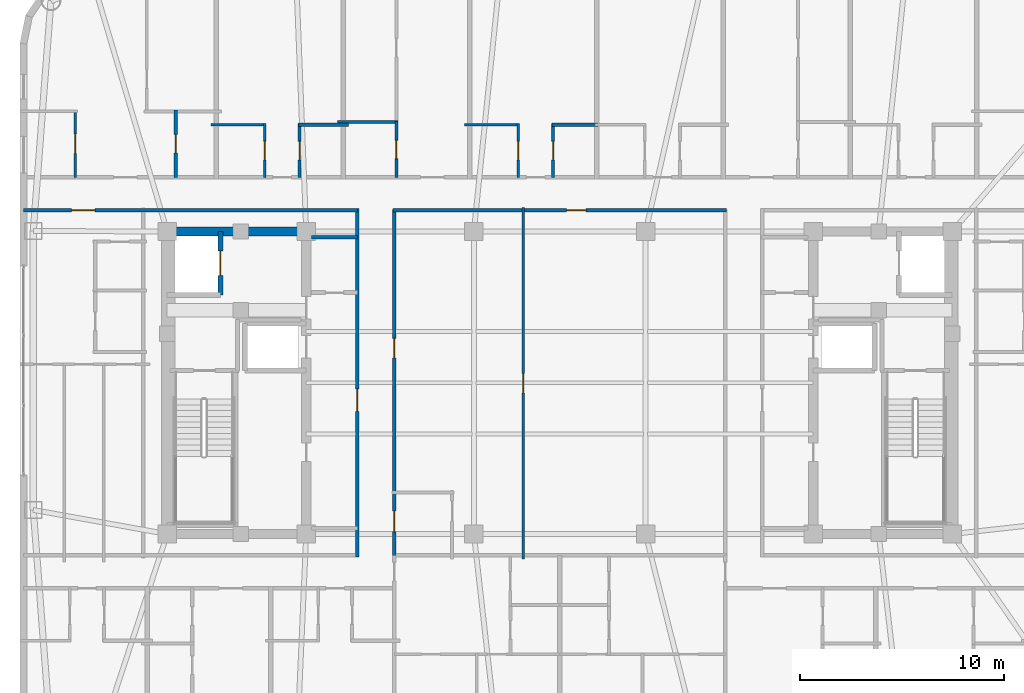
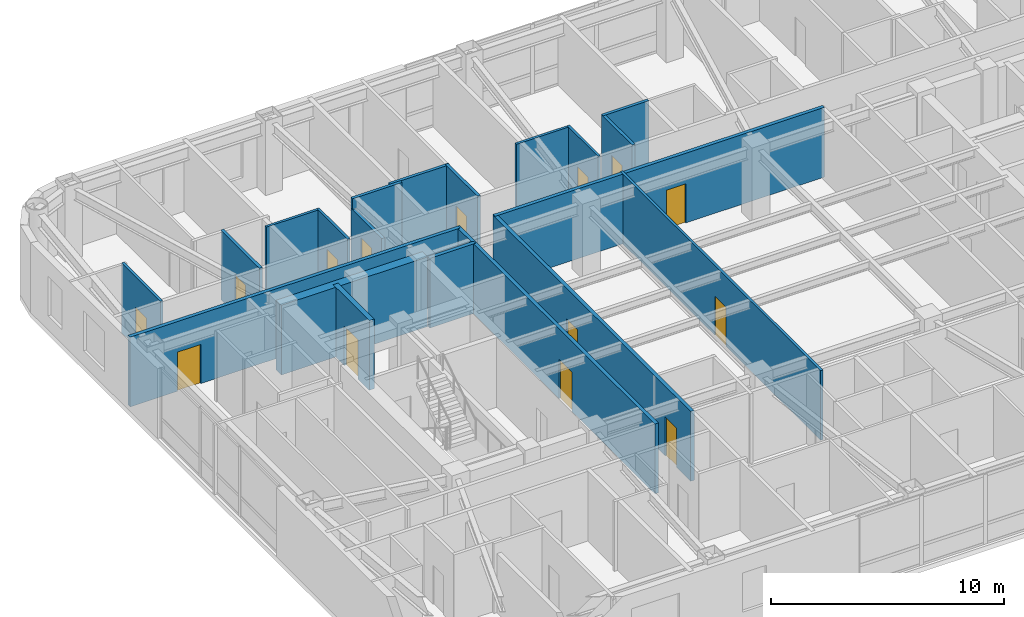
# One storey, part 23 of 29: 20 walls, 14 doors, 14 openings.
"""IFC4 building model written with IfcOpenShell, lengths in metres."""

from ifc_helpers import new_model, si_unit, direction, frame, frame_2d, origin, place, context, subcontext, project, spatial, rectangle, extrude, material, layer, layer_set, type_object, element, fill, save


model = new_model("IFC4")

# Units and contexts
model_context = context("Model", 3, precision=1e-05, world=origin(), true_north=direction((0.0, 1.0)))
body_context = subcontext(model_context, "Body", "Model", "MODEL_VIEW")
ifc_project = project(units=[si_unit("LENGTHUNIT", "METRE"), si_unit("AREAUNIT", "SQUARE_METRE"), si_unit("VOLUMEUNIT", "CUBIC_METRE"), si_unit("PLANEANGLEUNIT", "RADIAN"), si_unit("MASSUNIT", "GRAM", prefix="KILO")], contexts=[model_context])

# Site, building, storey
site_placement = place(None, origin())
site = spatial("IfcSite", under=ifc_project, at=site_placement, CompositionType="ELEMENT")
building_placement = place(site_placement, origin())
building = spatial("IfcBuilding", under=site, at=building_placement, Name="Voryun Gate Residences", CompositionType="ELEMENT")
storey_placement = place(building_placement, frame((0.0, 0.0, 211.89990234375)))
storey = spatial("IfcBuildingStorey", under=building, at=storey_placement, Name="L52", CompositionType="ELEMENT", Elevation=211.89990234375)

# Walls
ifc_material_1 = material(Name="Concrete C50/60", Category="concrete")
ifc_layer_1 = layer(ifc_material_1, 0.449951171875, Name="CW_CORE_450")
ifc_layer_set_1 = layer_set([ifc_layer_1], Name="Concrete C50/60")
wall_type_1 = type_object("IfcWallType", Name="CW_CORE_450", PredefinedType="SHEAR", material=ifc_layer_set_1)
wall_1_placement = place(storey_placement, frame((-19.425048828125, 7.39990234375, 0.0), z_axis=(0.0, 0.0, 1.0), x_axis=(1.0, 0.0, 0.0)))
element("IfcWall", 1, at=wall_1_placement, inside=storey, type_object=wall_type_1, Name="L52 Core shear wall CW-L52-WN", PredefinedType="SHEAR", context=body_context, shape_type="SweptSolid", body=[
    extrude(rectangle(XDim=7.25, YDim=0.449951171875, at=frame_2d((3.625, 0.0))), origin(), (0.0, 0.0, 1.0), 3.650146484375),
])
ifc_material_2 = material(Name="Gypsum acoustic fireboard")
ifc_layer_2 = layer(ifc_material_2, 0.179931640625, Name="W_CORR_RATED_180")
ifc_layer_set_2 = layer_set([ifc_layer_2], Name="Gypsum acoustic fireboard")
wall_type_2 = type_object("IfcWallType", Name="W_CORR_RATED_180", PredefinedType="PARTITIONING", material=ifc_layer_set_2)
wall_2_placement = place(storey_placement, frame((-12.14990234375, 7.1201171875, 0.0), z_axis=(0.0, 0.0, 1.0), x_axis=(1.0, 0.0, 0.0)))
element("IfcWall", 2, at=wall_2_placement, inside=storey, type_object=wall_type_2, Name="Partition wall WP-L52-PLBN-W", PredefinedType="PARTITIONING", context=body_context, shape_type="SweptSolid", body=[
    extrude(rectangle(XDim=2.27001953125, YDim=0.179931640625, at=frame_2d((1.135009765625, 0.0))), origin(), (0.0, 0.0, 1.0), 3.650146484375),
])

# Wall, opening, door
wall_3_placement = place(storey_placement, frame((-9.89990234375, -8.530029296875, 0.0), z_axis=(0.0, 0.0, 1.0), x_axis=(0.0, 1.0, 0.0)))
wall_3 = element("IfcWall", 3, at=wall_3_placement, inside=storey, type_object=wall_type_2, Name="Partition wall WP-L52-PLBW-FULL", PredefinedType="PARTITIONING", context=body_context, shape_type="SweptSolid", body=[
    extrude(rectangle(XDim=17.06005859375, YDim=0.179931640625, at=frame_2d((8.530029296875, 0.0))), origin(), (0.0, 0.0, 1.0), 3.650146484375),
])
opening_1_placement = place(wall_3_placement, frame((7.126953125, 0.0, 0.0)))
opening_1 = element("IfcOpeningElement", 4, at=opening_1_placement, cuts=wall_3, Name="Opening D-FD60-2", PredefinedType="OPENING", context=body_context, shape_type="SweptSolid", body=[
    extrude(rectangle(XDim=1.10009765625, YDim=2.050048828125, at=frame_2d((0.550048828125, 1.02490234375))), frame((0.0, 0.099853515625, 0.0), z_axis=(0.0, -1.0, 0.0), x_axis=(1.0, 0.0, 0.0)), (0.0, 0.0, 1.0), 0.199951171875),
])
ifc_material_3 = material(Name="Painted steel fire door", Category="steel")
door_type_1 = type_object("IfcDoorType", Name="DR_FD60_FFLOB_1100", OperationType="NOTDEFINED", PredefinedType="DOOR", material=ifc_material_3)
door_1_placement = place(opening_1_placement, origin())
door_1 = element("IfcDoor", 5, at=door_1_placement, inside=storey, type_object=door_type_1, Name="Door DR-L52-PLBW-COR", OperationType="SINGLE_SWING_LEFT", OverallHeight=2.050048828125, OverallWidth=1.10009765625, PredefinedType="DOOR", context=body_context, shape_type="SweptSolid", body=[
    extrude(rectangle(XDim=1.10009765625, YDim=2.050048828125, at=frame_2d((0.550048828125, 1.02490234375))), frame((0.0, 0.02490234375, 0.0), z_axis=(0.0, -1.0, 0.0), x_axis=(1.0, 0.0, 0.0)), (0.0, 0.0, 1.0), 0.050048828125),
])
fill(opening_1, door_1)

wall_4_placement = place(storey_placement, frame((-26.22998046875, 8.43994140625, 0.0), z_axis=(0.0, 0.0, 1.0), x_axis=(1.0, 0.0, 0.0)))
wall_4 = element("IfcWall", 6, at=wall_4_placement, inside=storey, type_object=wall_type_2, Name="Partition wall WP-L52-CWING-WN", PredefinedType="PARTITIONING", context=body_context, shape_type="SweptSolid", body=[
    extrude(rectangle(XDim=16.35009765625, YDim=0.179931640625, at=frame_2d((8.175048828125, 0.0))), origin(), (0.0, 0.0, 1.0), 3.650146484375),
])
opening_2_placement = place(wall_4_placement, frame((2.35009765625, 0.0, 0.0)))
opening_2 = element("IfcOpeningElement", 7, at=opening_2_placement, cuts=wall_4, Name="Opening D-UNIT-1", PredefinedType="OPENING", context=body_context, shape_type="SweptSolid", body=[
    extrude(rectangle(XDim=1.14990234375, YDim=2.050048828125, at=frame_2d((0.574951171875, 1.02490234375))), frame((0.0, 0.099853515625, 0.0), z_axis=(0.0, -1.0, 0.0), x_axis=(1.0, 0.0, 0.0)), (0.0, 0.0, 1.0), 0.199951171875),
])
ifc_material_4 = material(Name="Armoured timber-clad fire door", Category="wood")
door_type_2 = type_object("IfcDoorType", Name="DR_UNIT_ENTRY_1150", OperationType="NOTDEFINED", PredefinedType="DOOR", material=ifc_material_4)
door_2_placement = place(opening_2_placement, origin())
door_2 = element("IfcDoor", 8, at=door_2_placement, inside=storey, type_object=door_type_2, Name="Door DR-L52-WE1N", OperationType="SINGLE_SWING_LEFT", OverallHeight=2.050048828125, OverallWidth=1.14990234375, PredefinedType="DOOR", context=body_context, shape_type="SweptSolid", body=[
    extrude(rectangle(XDim=1.14990234375, YDim=2.050048828125, at=frame_2d((0.574951171875, 1.02490234375))), frame((0.0, 0.02490234375, 0.0), z_axis=(0.0, -1.0, 0.0), x_axis=(1.0, 0.0, 0.0)), (0.0, 0.0, 1.0), 0.050048828125),
])
fill(opening_2, door_2)

wall_5_placement = place(storey_placement, frame((-8.14990234375, 8.43994140625, 0.0), z_axis=(0.0, 0.0, 1.0), x_axis=(1.0, 0.0, 0.0)))
wall_5 = element("IfcWall", 9, at=wall_5_placement, inside=storey, type_object=wall_type_2, Name="Partition wall WP-L52-Z3N", PredefinedType="PARTITIONING", context=body_context, shape_type="SweptSolid", body=[
    extrude(rectangle(XDim=16.2998046875, YDim=0.179931640625, at=frame_2d((8.14990234375, 0.0))), origin(), (0.0, 0.0, 1.0), 3.650146484375),
])
opening_3_placement = place(wall_5_placement, frame((8.489990234375, 0.0, 0.0)))
opening_3 = element("IfcOpeningElement", 10, at=opening_3_placement, cuts=wall_5, Name="Opening D-INT-1", PredefinedType="OPENING", context=body_context, shape_type="SweptSolid", body=[
    extrude(rectangle(XDim=0.949951171875, YDim=2.050048828125, at=frame_2d((0.47509765625, 1.02490234375))), frame((0.0, 0.099853515625, 0.0), z_axis=(0.0, -1.0, 0.0), x_axis=(1.0, 0.0, 0.0)), (0.0, 0.0, 1.0), 0.199951171875),
])
ifc_material_5 = material(Name="Architectural oak veneer")
door_type_3 = type_object("IfcDoorType", Name="DR_INT_ROOM_950", OperationType="NOTDEFINED", PredefinedType="DOOR", material=ifc_material_5)
door_3_placement = place(opening_3_placement, origin())
door_3 = element("IfcDoor", 11, at=door_3_placement, inside=storey, type_object=door_type_3, Name="Door DR-L52-CMIDZ3N", OperationType="SINGLE_SWING_LEFT", OverallHeight=2.050048828125, OverallWidth=0.949951171875, PredefinedType="DOOR", context=body_context, shape_type="SweptSolid", body=[
    extrude(rectangle(XDim=0.949951171875, YDim=2.050048828125, at=frame_2d((0.47509765625, 1.02490234375))), frame((0.0, 0.02490234375, 0.0), z_axis=(0.0, -1.0, 0.0), x_axis=(1.0, 0.0, 0.0)), (0.0, 0.0, 1.0), 0.050048828125),
])
fill(opening_3, door_3)

# Wall, openings, doors
wall_6_placement = place(storey_placement, frame((-8.10009765625, -8.47998046875, 0.0), z_axis=(0.0, 0.0, 1.0), x_axis=(0.0, 1.0, 0.0)))
wall_6 = element("IfcWall", 12, at=wall_6_placement, inside=storey, type_object=wall_type_2, Name="Partition wall WP-L52-Z3W", PredefinedType="PARTITIONING", context=body_context, shape_type="SweptSolid", body=[
    extrude(rectangle(XDim=16.9599609375, YDim=0.179931640625, at=frame_2d((8.47998046875, 0.0))), origin(), (0.0, 0.0, 1.0), 3.650146484375),
])
opening_4_placement = place(wall_6_placement, frame((1.196044921875, 0.0, 0.0)))
opening_4 = element("IfcOpeningElement", 13, at=opening_4_placement, cuts=wall_6, Name="Opening D-AWC-1", PredefinedType="OPENING", context=body_context, shape_type="SweptSolid", body=[
    extrude(rectangle(XDim=1.0, YDim=2.050048828125, at=frame_2d((0.5, 1.02490234375))), frame((0.0, 0.099853515625, 0.0), z_axis=(0.0, -1.0, 0.0), x_axis=(1.0, 0.0, 0.0)), (0.0, 0.0, 1.0), 0.199951171875),
])
opening_5_placement = place(wall_6_placement, frame((9.700927734375, 0.0, 0.0)))
opening_5 = element("IfcOpeningElement", 14, at=opening_5_placement, cuts=wall_6, Name="Opening D-INT-1", PredefinedType="OPENING", context=body_context, shape_type="SweptSolid", body=[
    extrude(rectangle(XDim=0.949951171875, YDim=2.050048828125, at=frame_2d((0.47509765625, 1.02490234375))), frame((0.0, 0.099853515625, 0.0), z_axis=(0.0, -1.0, 0.0), x_axis=(1.0, 0.0, 0.0)), (0.0, 0.0, 1.0), 0.199951171875),
])
ifc_material_6 = material(Name="Architectural oak veneer")
door_type_4 = type_object("IfcDoorType", Name="DR_ACC_WC_1000", OperationType="NOTDEFINED", PredefinedType="DOOR", material=ifc_material_6)
door_4_placement = place(opening_4_placement, origin())
door_4 = element("IfcDoor", 15, at=door_4_placement, inside=storey, type_object=door_type_4, Name="Door DR-L52-CMWC-D", OperationType="SINGLE_SWING_LEFT", OverallHeight=2.050048828125, OverallWidth=1.0, PredefinedType="DOOR", context=body_context, shape_type="SweptSolid", body=[
    extrude(rectangle(XDim=1.0, YDim=2.050048828125, at=frame_2d((0.5, 1.02490234375))), frame((0.0, 0.02490234375, 0.0), z_axis=(0.0, -1.0, 0.0), x_axis=(1.0, 0.0, 0.0)), (0.0, 0.0, 1.0), 0.050048828125),
])
fill(opening_4, door_4)
door_5_placement = place(opening_5_placement, origin())
door_5 = element("IfcDoor", 16, at=door_5_placement, inside=storey, type_object=door_type_3, Name="Door DR-L52-CMIDZ3W", OperationType="SINGLE_SWING_RIGHT", OverallHeight=2.050048828125, OverallWidth=0.949951171875, PredefinedType="DOOR", context=body_context, shape_type="SweptSolid", body=[
    extrude(rectangle(XDim=0.949951171875, YDim=2.050048828125, at=frame_2d((0.47509765625, 1.02490234375))), frame((0.0, 0.02490234375, 0.0), z_axis=(0.0, -1.0, 0.0), x_axis=(1.0, 0.0, 0.0)), (0.0, 0.0, 1.0), 0.050048828125),
])
fill(opening_5, door_5)

# Wall, opening, door
ifc_material_7 = material(Name="Concrete C50/60", Category="concrete")
ifc_layer_3 = layer(ifc_material_7, 0.25, Name="W_SHAFT_RC250")
ifc_layer_set_3 = layer_set([ifc_layer_3], Name="Concrete C50/60")
wall_type_3 = type_object("IfcWallType", Name="W_SHAFT_RC250", PredefinedType="SOLIDWALL", material=ifc_layer_set_3)
wall_7_placement = place(storey_placement, frame((-16.60009765625, 4.300048828125, 0.0), z_axis=(0.0, 0.0, 1.0), x_axis=(0.0, 1.0, 0.0)))
wall_7 = element("IfcWall", 17, at=wall_7_placement, inside=storey, type_object=wall_type_3, Name="Lift shaft wall WSH-L52-EL-FF-W1-E", PredefinedType="SOLIDWALL", context=body_context, shape_type="SweptSolid", body=[
    extrude(rectangle(XDim=3.099853515625, YDim=0.25, at=frame_2d((1.5498046875, 0.0))), origin(), (0.0, 0.0, 1.0), 3.650146484375),
])
opening_6_placement = place(wall_7_placement, frame((0.949951171875, 0.0, 0.0)))
opening_6 = element("IfcOpeningElement", 18, at=opening_6_placement, cuts=wall_7, Name="Opening LD1", PredefinedType="OPENING", context=body_context, shape_type="SweptSolid", body=[
    extrude(rectangle(XDim=1.199951171875, YDim=2.050048828125, at=frame_2d((0.60009765625, 1.02490234375))), frame((0.0, 0.135009765625, 0.0), z_axis=(0.0, -1.0, 0.0), x_axis=(1.0, 0.0, 0.0)), (0.0, 0.0, 1.0), 0.27001953125),
])
ifc_material_8 = material(Name="Anodised aluminium", Category="aluminium")
door_type_5 = type_object("IfcDoorType", Name="DR_LD_FF_1200", OperationType="NOTDEFINED", PredefinedType="DOOR", material=ifc_material_8)
door_6_placement = place(opening_6_placement, origin())
door_6 = element("IfcDoor", 19, at=door_6_placement, inside=storey, type_object=door_type_5, Name="Lift EL-FF-W1 sliding landing door L52", OperationType="SLIDING_TO_LEFT", OverallHeight=2.050048828125, OverallWidth=1.199951171875, PredefinedType="DOOR", context=body_context, shape_type="SweptSolid", body=[
    extrude(rectangle(XDim=1.199951171875, YDim=2.050048828125, at=frame_2d((0.60009765625, 1.02490234375))), frame((0.0, 0.02490234375, 0.0), z_axis=(0.0, -1.0, 0.0), x_axis=(1.0, 0.0, 0.0)), (0.0, 0.0, 1.0), 0.050048828125),
])
fill(opening_6, door_6)

ifc_material_9 = material(Name="Gypsum acoustic partition")
ifc_layer_4 = layer(ifc_material_9, 0.125, Name="W_UNIT_PART_125")
ifc_layer_set_4 = layer_set([ifc_layer_4], Name="Gypsum acoustic partition")
wall_type_4 = type_object("IfcWallType", Name="W_UNIT_PART_125", PredefinedType="PARTITIONING", material=ifc_layer_set_4)
wall_8_placement = place(storey_placement, frame((-1.77294921875, -8.6201171875, 0.0), z_axis=(0.0, 0.0, 1.0), x_axis=(0.0, 1.0, 0.0)))
wall_8 = element("IfcWall", 20, at=wall_8_placement, inside=storey, type_object=wall_type_4, Name="Partition wall WP-L52-MIDX-0", PredefinedType="PARTITIONING", context=body_context, shape_type="SweptSolid", body=[
    extrude(rectangle(XDim=17.190185546875, YDim=0.125, at=frame_2d((8.59521484375, 0.0))), origin(), (0.0, 0.0, 1.0), 3.650146484375),
])
opening_7_placement = place(wall_8_placement, frame((8.1201171875, 0.0, 0.0)))
opening_7 = element("IfcOpeningElement", 21, at=opening_7_placement, cuts=wall_8, Name="Opening D-INT-1", PredefinedType="OPENING", context=body_context, shape_type="SweptSolid", body=[
    extrude(rectangle(XDim=0.949951171875, YDim=2.050048828125, at=frame_2d((0.47509765625, 1.02490234375))), frame((0.0, 0.072509765625, 0.0), z_axis=(0.0, -1.0, 0.0), x_axis=(1.0, 0.0, 0.0)), (0.0, 0.0, 1.0), 0.14501953125),
])
door_7_placement = place(opening_7_placement, origin())
door_7 = element("IfcDoor", 22, at=door_7_placement, inside=storey, type_object=door_type_3, Name="Door DR-L52-MIDX-0", OperationType="SINGLE_SWING_LEFT", OverallHeight=2.050048828125, OverallWidth=0.949951171875, PredefinedType="DOOR", context=body_context, shape_type="SweptSolid", body=[
    extrude(rectangle(XDim=0.949951171875, YDim=2.050048828125, at=frame_2d((0.47509765625, 1.02490234375))), frame((0.0, 0.02490234375, 0.0), z_axis=(0.0, -1.0, 0.0), x_axis=(1.0, 0.0, 0.0)), (0.0, 0.0, 1.0), 0.050048828125),
])
fill(opening_7, door_7)

wall_9_placement = place(storey_placement, frame((-23.705078125, 10.030029296875, 0.0), z_axis=(0.0, 0.0, 1.0), x_axis=(0.0, 1.0, 0.0)))
wall_9 = element("IfcWall", 23, at=wall_9_placement, inside=storey, type_object=wall_type_4, Name="Partition wall WP-L52-N1-IVK", PredefinedType="PARTITIONING", context=body_context, shape_type="SweptSolid", body=[
    extrude(rectangle(XDim=3.320068359375, YDim=0.125, at=frame_2d((1.66015625, 0.0))), origin(), (0.0, 0.0, 1.0), 3.650146484375),
])
opening_8_placement = place(wall_9_placement, frame((1.18505859375, 0.0, 0.0)))
opening_8 = element("IfcOpeningElement", 24, at=opening_8_placement, cuts=wall_9, Name="Opening D-INT-1", PredefinedType="OPENING", context=body_context, shape_type="SweptSolid", body=[
    extrude(rectangle(XDim=0.949951171875, YDim=2.050048828125, at=frame_2d((0.47509765625, 1.02490234375))), frame((0.0, 0.072509765625, 0.0), z_axis=(0.0, -1.0, 0.0), x_axis=(1.0, 0.0, 0.0)), (0.0, 0.0, 1.0), 0.14501953125),
])
door_8_placement = place(opening_8_placement, origin())
door_8 = element("IfcDoor", 25, at=door_8_placement, inside=storey, type_object=door_type_3, Name="Door DR-L52-N1-DK", OperationType="SINGLE_SWING_LEFT", OverallHeight=2.050048828125, OverallWidth=0.949951171875, PredefinedType="DOOR", context=body_context, shape_type="SweptSolid", body=[
    extrude(rectangle(XDim=0.949951171875, YDim=2.050048828125, at=frame_2d((0.47509765625, 1.02490234375))), frame((0.0, 0.02490234375, 0.0), z_axis=(0.0, -1.0, 0.0), x_axis=(1.0, 0.0, 0.0)), (0.0, 0.0, 1.0), 0.050048828125),
])
fill(opening_8, door_8)

wall_10_placement = place(storey_placement, frame((-14.429931640625, 10.030029296875, 0.0), z_axis=(0.0, 0.0, 1.0), x_axis=(0.0, 1.0, 0.0)))
wall_10 = element("IfcWall", 26, at=wall_10_placement, inside=storey, type_object=wall_type_4, Name="Partition wall WP-L52-N2-CVK", PredefinedType="PARTITIONING", context=body_context, shape_type="SweptSolid", body=[
    extrude(rectangle(XDim=2.64990234375, YDim=0.125, at=frame_2d((1.324951171875, 0.0))), origin(), (0.0, 0.0, 1.0), 3.650146484375),
])
opening_9_placement = place(wall_10_placement, frame((0.875, 0.0, 0.0)))
opening_9 = element("IfcOpeningElement", 27, at=opening_9_placement, cuts=wall_10, Name="Opening D-INT-2", PredefinedType="OPENING", context=body_context, shape_type="SweptSolid", body=[
    extrude(rectangle(XDim=0.89990234375, YDim=2.050048828125, at=frame_2d((0.449951171875, 1.02490234375))), frame((0.0, 0.072509765625, 0.0), z_axis=(0.0, -1.0, 0.0), x_axis=(1.0, 0.0, 0.0)), (0.0, 0.0, 1.0), 0.14501953125),
])
ifc_material_10 = material(Name="Architectural oak veneer")
door_type_6 = type_object("IfcDoorType", Name="DR_INT_BATH_900", OperationType="NOTDEFINED", PredefinedType="DOOR", material=ifc_material_10)
door_9_placement = place(opening_9_placement, origin())
door_9 = element("IfcDoor", 28, at=door_9_placement, inside=storey, type_object=door_type_6, Name="Door DR-L52-N2-DK", OperationType="SINGLE_SWING_LEFT", OverallHeight=2.050048828125, OverallWidth=0.89990234375, PredefinedType="DOOR", context=body_context, shape_type="SweptSolid", body=[
    extrude(rectangle(XDim=0.89990234375, YDim=2.050048828125, at=frame_2d((0.449951171875, 1.02490234375))), frame((0.0, 0.02490234375, 0.0), z_axis=(0.0, -1.0, 0.0), x_axis=(1.0, 0.0, 0.0)), (0.0, 0.0, 1.0), 0.050048828125),
])
fill(opening_9, door_9)

# Wall
wall_11_placement = place(storey_placement, frame((-17.06005859375, 12.6201171875, 0.0), z_axis=(0.0, 0.0, 1.0), x_axis=(1.0, 0.0, 0.0)))
element("IfcWall", 29, at=wall_11_placement, inside=storey, type_object=wall_type_4, Name="Partition wall WP-L52-N2-CHK", PredefinedType="PARTITIONING", context=body_context, shape_type="SweptSolid", body=[
    extrude(rectangle(XDim=2.68994140625, YDim=0.125, at=frame_2d((1.344970703125, 0.0))), origin(), (0.0, 0.0, 1.0), 3.650146484375),
])

# Wall, opening, door
wall_12_placement = place(storey_placement, frame((-2.030029296875, 10.030029296875, 0.0), z_axis=(0.0, 0.0, 1.0), x_axis=(0.0, 1.0, 0.0)))
wall_12 = element("IfcWall", 30, at=wall_12_placement, inside=storey, type_object=wall_type_4, Name="Partition wall WP-L52-N4-CVK", PredefinedType="PARTITIONING", context=body_context, shape_type="SweptSolid", body=[
    extrude(rectangle(XDim=2.64990234375, YDim=0.125, at=frame_2d((1.324951171875, 0.0))), origin(), (0.0, 0.0, 1.0), 3.650146484375),
])
opening_10_placement = place(wall_12_placement, frame((0.875, 0.0, 0.0)))
opening_10 = element("IfcOpeningElement", 31, at=opening_10_placement, cuts=wall_12, Name="Opening D-INT-2", PredefinedType="OPENING", context=body_context, shape_type="SweptSolid", body=[
    extrude(rectangle(XDim=0.89990234375, YDim=2.050048828125, at=frame_2d((0.449951171875, 1.02490234375))), frame((0.0, 0.072509765625, 0.0), z_axis=(0.0, -1.0, 0.0), x_axis=(1.0, 0.0, 0.0)), (0.0, 0.0, 1.0), 0.14501953125),
])
door_10_placement = place(opening_10_placement, origin())
door_10 = element("IfcDoor", 32, at=door_10_placement, inside=storey, type_object=door_type_6, Name="Door DR-L52-N4-DK", OperationType="SINGLE_SWING_LEFT", OverallHeight=2.050048828125, OverallWidth=0.89990234375, PredefinedType="DOOR", context=body_context, shape_type="SweptSolid", body=[
    extrude(rectangle(XDim=0.89990234375, YDim=2.050048828125, at=frame_2d((0.449951171875, 1.02490234375))), frame((0.0, 0.02490234375, 0.0), z_axis=(0.0, -1.0, 0.0), x_axis=(1.0, 0.0, 0.0)), (0.0, 0.0, 1.0), 0.050048828125),
])
fill(opening_10, door_10)

# Wall
wall_13_placement = place(storey_placement, frame((-4.659912109375, 12.6201171875, 0.0), z_axis=(0.0, 0.0, 1.0), x_axis=(1.0, 0.0, 0.0)))
element("IfcWall", 33, at=wall_13_placement, inside=storey, type_object=wall_type_4, Name="Partition wall WP-L52-N4-CHK", PredefinedType="PARTITIONING", context=body_context, shape_type="SweptSolid", body=[
    extrude(rectangle(XDim=2.68994140625, YDim=0.125, at=frame_2d((1.344970703125, 0.0))), origin(), (0.0, 0.0, 1.0), 3.650146484375),
])

# Wall, opening, door
ifc_material_11 = material(Name="Gypsum moisture-resistant partition")
ifc_layer_5 = layer(ifc_material_11, 0.14990234375, Name="W_WET_PLUMB_150")
ifc_layer_set_5 = layer_set([ifc_layer_5], Name="Gypsum moisture-resistant partition")
wall_type_5 = type_object("IfcWallType", Name="W_WET_PLUMB_150", PredefinedType="PLUMBINGWALL", material=ifc_layer_set_5)
wall_14_placement = place(storey_placement, frame((-18.780029296875, 10.030029296875, 0.0), z_axis=(0.0, 0.0, 1.0), x_axis=(0.0, 1.0, 0.0)))
wall_14 = element("IfcWall", 34, at=wall_14_placement, inside=storey, type_object=wall_type_5, Name="Partition wall WP-L52-N1-IVB", PredefinedType="PLUMBINGWALL", context=body_context, shape_type="SweptSolid", body=[
    extrude(rectangle(XDim=3.320068359375, YDim=0.14990234375, at=frame_2d((1.66015625, 0.0))), origin(), (0.0, 0.0, 1.0), 3.650146484375),
])
opening_11_placement = place(wall_14_placement, frame((1.2099609375, 0.0, 0.0)))
opening_11 = element("IfcOpeningElement", 35, at=opening_11_placement, cuts=wall_14, Name="Opening D-INT-2", PredefinedType="OPENING", context=body_context, shape_type="SweptSolid", body=[
    extrude(rectangle(XDim=0.89990234375, YDim=2.050048828125, at=frame_2d((0.449951171875, 1.02490234375))), frame((0.0, 0.0849609375, 0.0), z_axis=(0.0, -1.0, 0.0), x_axis=(1.0, 0.0, 0.0)), (0.0, 0.0, 1.0), 0.169921875),
])
door_11_placement = place(opening_11_placement, origin())
door_11 = element("IfcDoor", 36, at=door_11_placement, inside=storey, type_object=door_type_6, Name="Door DR-L52-N1-DB", OperationType="SINGLE_SWING_RIGHT", OverallHeight=2.050048828125, OverallWidth=0.89990234375, PredefinedType="DOOR", context=body_context, shape_type="SweptSolid", body=[
    extrude(rectangle(XDim=0.89990234375, YDim=2.050048828125, at=frame_2d((0.449951171875, 1.02490234375))), frame((0.0, 0.02490234375, 0.0), z_axis=(0.0, -1.0, 0.0), x_axis=(1.0, 0.0, 0.0)), (0.0, 0.0, 1.0), 0.050048828125),
])
fill(opening_11, door_11)

wall_15_placement = place(storey_placement, frame((-12.72705078125, 10.030029296875, 0.0), z_axis=(0.0, 0.0, 1.0), x_axis=(0.0, 1.0, 0.0)))
wall_15 = element("IfcWall", 37, at=wall_15_placement, inside=storey, type_object=wall_type_5, Name="Partition wall WP-L52-N2-CVB", PredefinedType="PLUMBINGWALL", context=body_context, shape_type="SweptSolid", body=[
    extrude(rectangle(XDim=2.64990234375, YDim=0.14990234375, at=frame_2d((1.324951171875, 0.0))), origin(), (0.0, 0.0, 1.0), 3.090087890625),
])
opening_12_placement = place(wall_15_placement, frame((0.875, 0.0, 0.0)))
opening_12 = element("IfcOpeningElement", 38, at=opening_12_placement, cuts=wall_15, Name="Opening D-INT-2", PredefinedType="OPENING", context=body_context, shape_type="SweptSolid", body=[
    extrude(rectangle(XDim=0.89990234375, YDim=2.050048828125, at=frame_2d((0.449951171875, 1.02490234375))), frame((0.0, 0.0849609375, 0.0), z_axis=(0.0, -1.0, 0.0), x_axis=(1.0, 0.0, 0.0)), (0.0, 0.0, 1.0), 0.169921875),
])
door_12_placement = place(opening_12_placement, origin())
door_12 = element("IfcDoor", 39, at=door_12_placement, inside=storey, type_object=door_type_6, Name="Door DR-L52-N2-DB", OperationType="SINGLE_SWING_RIGHT", OverallHeight=2.050048828125, OverallWidth=0.89990234375, PredefinedType="DOOR", context=body_context, shape_type="SweptSolid", body=[
    extrude(rectangle(XDim=0.89990234375, YDim=2.050048828125, at=frame_2d((0.449951171875, 1.02490234375))), frame((0.0, 0.02490234375, 0.0), z_axis=(0.0, -1.0, 0.0), x_axis=(1.0, 0.0, 0.0)), (0.0, 0.0, 1.0), 0.050048828125),
])
fill(opening_12, door_12)

# Walls
wall_16_placement = place(storey_placement, frame((-12.787109375, 12.6201171875, 0.0), z_axis=(0.0, 0.0, 1.0), x_axis=(1.0, 0.0, 0.0)))
element("IfcWall", 40, at=wall_16_placement, inside=storey, type_object=wall_type_5, Name="Partition wall WP-L52-N2-CHB", PredefinedType="PLUMBINGWALL", context=body_context, shape_type="SweptSolid", body=[
    extrude(rectangle(XDim=2.447021484375, YDim=0.14990234375, at=frame_2d((1.2236328125, 0.0))), origin(), (0.0, 0.0, 1.0), 3.650146484375),
])
wall_17_placement = place(storey_placement, frame((-10.860107421875, 12.75, 0.0), z_axis=(0.0, 0.0, 1.0), x_axis=(1.0, 0.0, 0.0)))
element("IfcWall", 41, at=wall_17_placement, inside=storey, type_object=wall_type_5, Name="Partition wall WP-L52-N3-SKB", PredefinedType="PLUMBINGWALL", context=body_context, shape_type="SweptSolid", body=[
    extrude(rectangle(XDim=2.9501953125, YDim=0.14990234375, at=frame_2d((1.47509765625, 0.0))), origin(), (0.0, 0.0, 1.0), 3.650146484375),
])

# Wall, opening, door
wall_18_placement = place(storey_placement, frame((-7.989990234375, 10.030029296875, 0.0), z_axis=(0.0, 0.0, 1.0), x_axis=(0.0, 1.0, 0.0)))
wall_18 = element("IfcWall", 42, at=wall_18_placement, inside=storey, type_object=wall_type_5, Name="Partition wall WP-L52-N3-SVT1", PredefinedType="PLUMBINGWALL", context=body_context, shape_type="SweptSolid", body=[
    extrude(rectangle(XDim=2.760009765625, YDim=0.14990234375, at=frame_2d((1.3798828125, 0.0))), origin(), (0.0, 0.0, 1.0), 3.650146484375),
])
opening_13_placement = place(wall_18_placement, frame((0.929931640625, 0.0, 0.0)))
opening_13 = element("IfcOpeningElement", 43, at=opening_13_placement, cuts=wall_18, Name="Opening D-INT-2", PredefinedType="OPENING", context=body_context, shape_type="SweptSolid", body=[
    extrude(rectangle(XDim=0.89990234375, YDim=2.050048828125, at=frame_2d((0.449951171875, 1.02490234375))), frame((0.0, 0.0849609375, 0.0), z_axis=(0.0, -1.0, 0.0), x_axis=(1.0, 0.0, 0.0)), (0.0, 0.0, 1.0), 0.169921875),
])
door_13_placement = place(opening_13_placement, origin())
door_13 = element("IfcDoor", 44, at=door_13_placement, inside=storey, type_object=door_type_6, Name="Door DR-L52-N3-DB", OperationType="SINGLE_SWING_LEFT", OverallHeight=2.050048828125, OverallWidth=0.89990234375, PredefinedType="DOOR", context=body_context, shape_type="SweptSolid", body=[
    extrude(rectangle(XDim=0.89990234375, YDim=2.050048828125, at=frame_2d((0.449951171875, 1.02490234375))), frame((0.0, 0.02490234375, 0.0), z_axis=(0.0, -1.0, 0.0), x_axis=(1.0, 0.0, 0.0)), (0.0, 0.0, 1.0), 0.050048828125),
])
fill(opening_13, door_13)

wall_19_placement = place(storey_placement, frame((-0.326904296875, 10.030029296875, 0.0), z_axis=(0.0, 0.0, 1.0), x_axis=(0.0, 1.0, 0.0)))
wall_19 = element("IfcWall", 45, at=wall_19_placement, inside=storey, type_object=wall_type_5, Name="Partition wall WP-L52-N4-CVB", PredefinedType="PLUMBINGWALL", context=body_context, shape_type="SweptSolid", body=[
    extrude(rectangle(XDim=2.64990234375, YDim=0.14990234375, at=frame_2d((1.324951171875, 0.0))), origin(), (0.0, 0.0, 1.0), 3.650146484375),
])
opening_14_placement = place(wall_19_placement, frame((0.875, 0.0, 0.0)))
opening_14 = element("IfcOpeningElement", 46, at=opening_14_placement, cuts=wall_19, Name="Opening D-INT-2", PredefinedType="OPENING", context=body_context, shape_type="SweptSolid", body=[
    extrude(rectangle(XDim=0.89990234375, YDim=2.050048828125, at=frame_2d((0.449951171875, 1.02490234375))), frame((0.0, 0.0849609375, 0.0), z_axis=(0.0, -1.0, 0.0), x_axis=(1.0, 0.0, 0.0)), (0.0, 0.0, 1.0), 0.169921875),
])
door_14_placement = place(opening_14_placement, origin())
door_14 = element("IfcDoor", 47, at=door_14_placement, inside=storey, type_object=door_type_6, Name="Door DR-L52-N4-DB", OperationType="SINGLE_SWING_RIGHT", OverallHeight=2.050048828125, OverallWidth=0.89990234375, PredefinedType="DOOR", context=body_context, shape_type="SweptSolid", body=[
    extrude(rectangle(XDim=0.89990234375, YDim=2.050048828125, at=frame_2d((0.449951171875, 1.02490234375))), frame((0.0, 0.02490234375, 0.0), z_axis=(0.0, -1.0, 0.0), x_axis=(1.0, 0.0, 0.0)), (0.0, 0.0, 1.0), 0.050048828125),
])
fill(opening_14, door_14)

# Wall
wall_20_placement = place(storey_placement, frame((-0.386962890625, 12.6201171875, 0.0), z_axis=(0.0, 0.0, 1.0), x_axis=(1.0, 0.0, 0.0)))
element("IfcWall", 48, at=wall_20_placement, inside=storey, type_object=wall_type_5, Name="Partition wall WP-L52-N4-CHB", PredefinedType="PLUMBINGWALL", context=body_context, shape_type="SweptSolid", body=[
    extrude(rectangle(XDim=2.261962890625, YDim=0.14990234375, at=frame_2d((1.130859375, 0.0))), origin(), (0.0, 0.0, 1.0), 3.650146484375),
])

save(model, "model.ifc")
